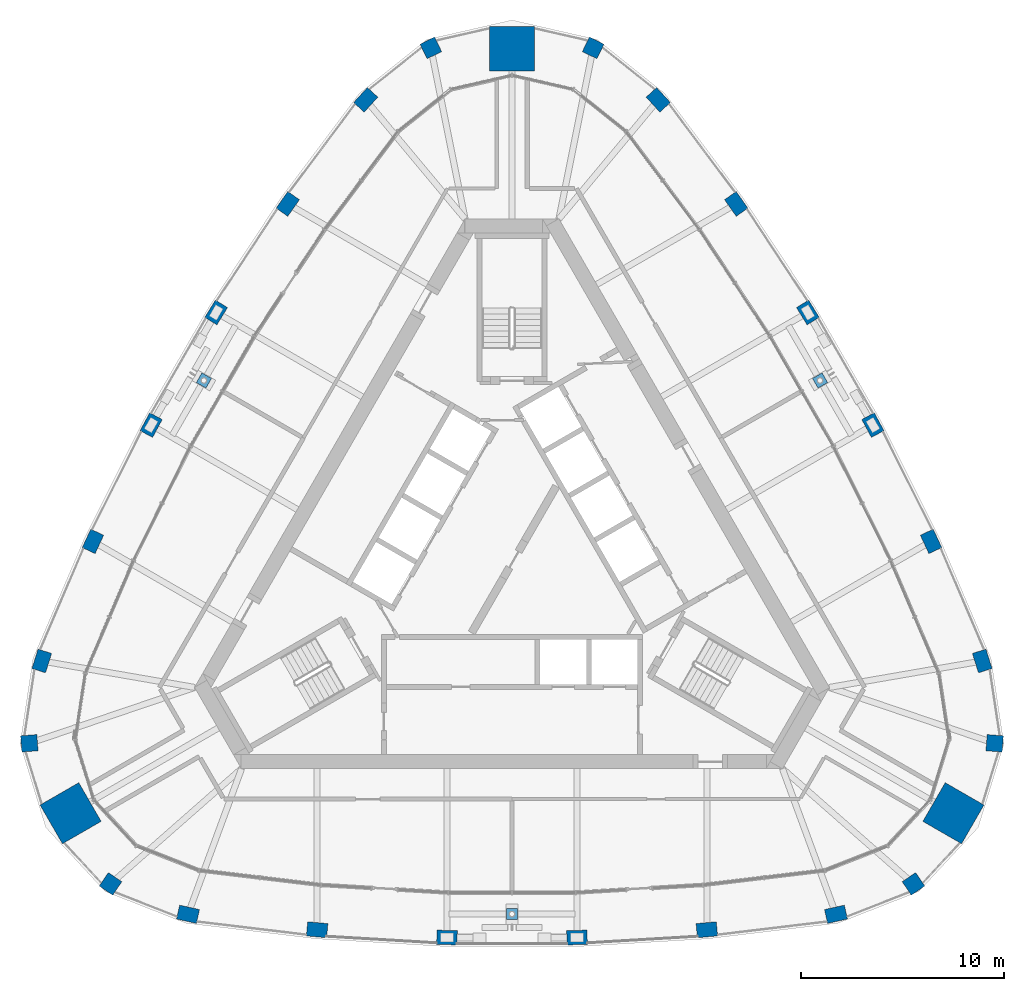
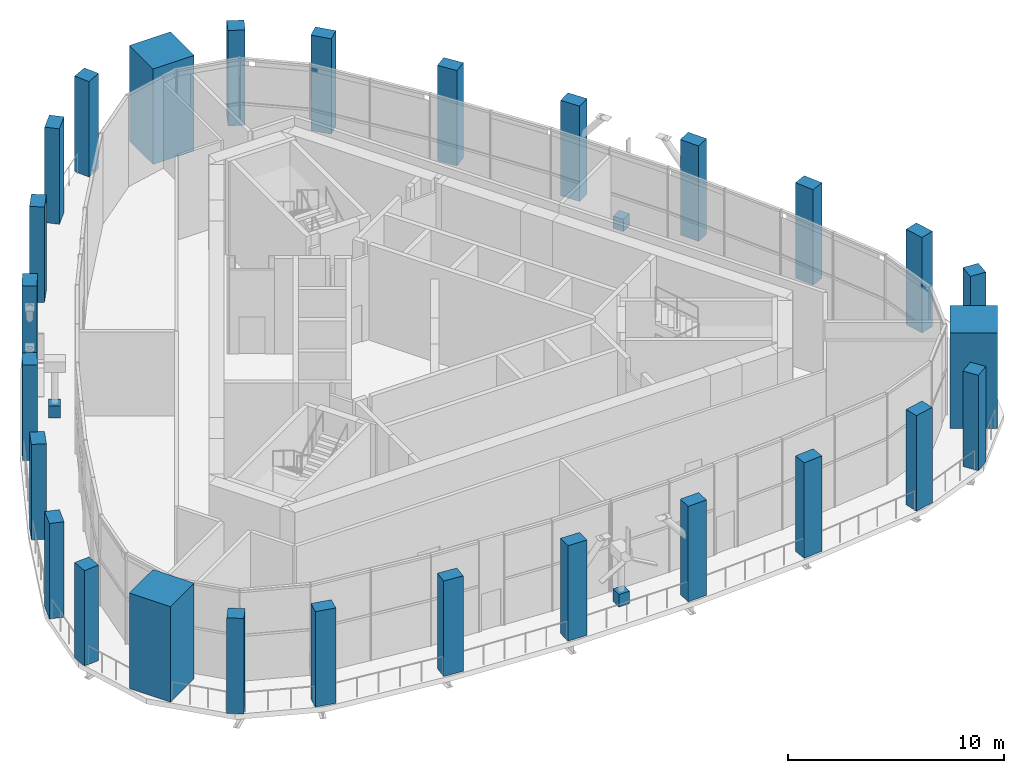
# One storey, part 1 of 23: 30 columns.
"""IFC4 building model written with IfcOpenShell, lengths in metres."""

from ifc_helpers import new_model, si_unit, direction, frame, origin, origin_2d, place, context, subcontext, project, spatial, rectangle, extrude, material, material_profile, profile_set, type_object, element, save


model = new_model("IFC4")

# Units and contexts
model_context = context("Model", 3, precision=1e-05, world=origin(), true_north=direction((0.0, 1.0)))
body_context = subcontext(model_context, "Body", "Model", "MODEL_VIEW")
ifc_project = project(units=[si_unit("LENGTHUNIT", "METRE"), si_unit("AREAUNIT", "SQUARE_METRE"), si_unit("VOLUMEUNIT", "CUBIC_METRE"), si_unit("PLANEANGLEUNIT", "RADIAN"), si_unit("MASSUNIT", "GRAM", prefix="KILO")], contexts=[model_context])

# Site, building, storey
site_placement = place(None, origin())
site = spatial("IfcSite", under=ifc_project, at=site_placement, CompositionType="ELEMENT")
building_placement = place(site_placement, origin())
building = spatial("IfcBuilding", under=site, at=building_placement, Name="Mestral Congress Tower", CompositionType="ELEMENT")
storey_placement = place(building_placement, frame((0.0, 0.0, 261.60009765625)))
storey = spatial("IfcBuildingStorey", under=building, at=storey_placement, Name="L61", CompositionType="ELEMENT", Elevation=261.60009765625)

# Columns
ifc_material_1 = material(Name="Concrete C60/75", Category="concrete")
ifc_material_profile_1 = material_profile(ifc_material_1, rectangle(XDim=1.0, YDim=0.699951171875, at=origin_2d()), Name="RC 1000x700")
ifc_profile_set_1 = profile_set([ifc_material_profile_1], Name="Concrete C60/75")
column_type_1 = type_object("IfcColumnType", Name="Column RC 1000x700 C60/75", PredefinedType="COLUMN", material=ifc_profile_set_1)
for number, where, z_axis, x_axis, name in (
    (1, (-15.940673828125, -17.511962890625, 0.0), (0.0, 0.0, 1.0), (0.976233636503, -0.216720758026, 0.0), "COL-L61-C5-S00"),
    (2, (-9.587158203125, -18.273681640625, 0.0), (0.0, 0.0, 1.0), (0.995997816519, -0.089377567035, 0.0), "COL-L61-C5-S01"),
    (3, (-3.199462890625, -18.6552734375, 0.0), (0.0, 0.0, 1.0), (0.999555031657, -0.029828487872, 0.0), "COL-L61-C5-S02"),
    (4, (3.199462890625, -18.6552734375, 0.0), (0.0, 0.0, 1.0), (0.999555031657, 0.029828487872, 0.0), "COL-L61-C5-S03"),
    (5, (9.587158203125, -18.273681640625, 0.0), (0.0, 0.0, 1.0), (0.995997816519, 0.089377567035, 0.0), "COL-L61-C5-S04"),
    (6, (15.940673828125, -17.511962890625, 0.0), (0.0, 0.0, 1.0), (0.976233636503, 0.216720758026, 0.0), "COL-L61-C5-S05"),
    (7, (23.135986328125, -5.049072265625, 0.0), (0.0, 0.0, 1.0), (-0.300431136274, 0.953803508254, 0.0), "COL-L61-C5-E00"),
    (8, (20.618896484375, 0.833984375, 0.0), (0.0, 0.0, 1.0), (-0.420595664679, 0.907248194737, 0.0), "COL-L61-C5-E01"),
    (9, (17.755615234375, 6.556640625, 0.0), (0.0, 0.0, 1.0), (-0.473945287575, 0.880554293832, 0.0), "COL-L61-C5-E02"),
    (10, (14.55615234375, 12.098388671875, 0.0), (0.0, 0.0, 1.0), (-0.525609744083, 0.850725805959, 0.0), "COL-L61-C5-E03"),
    (11, (11.031982421875, 17.439697265625, 0.0), (0.0, 0.0, 1.0), (-0.57540215184, 0.817870627702, 0.0), "COL-L61-C5-E04"),
    (12, (7.1953125, 22.56103515625, 0.0), (0.0, 0.0, 1.0), (-0.67580250023, 0.737082750228, 0.0), "COL-L61-C5-E05"),
    (13, (-7.1953125, 22.56103515625, 0.0), (0.0, 0.0, 1.0), (-0.67580250023, -0.737082750228, 0.0), "COL-L61-C5-W00"),
    (14, (-11.031982421875, 17.439697265625, 0.0), (0.0, 0.0, 1.0), (-0.57540215184, -0.817870627702, 0.0), "COL-L61-C5-W01"),
    (15, (-14.55615234375, 12.098388671875, 0.0), (0.0, 0.0, 1.0), (-0.525609744083, -0.850725805959, 0.0), "COL-L61-C5-W02"),
    (16, (-17.755615234375, 6.556640625, 0.0), (0.0, 0.0, 1.0), (-0.473945287575, -0.880554293832, 0.0), "COL-L61-C5-W03"),
    (17, (-20.618896484375, 0.833984375, 0.0), (0.0, 0.0, 1.0), (-0.420595664679, -0.907248194737, 0.0), "COL-L61-C5-W04"),
    (18, (-23.135986328125, -5.049072265625, 0.0), (0.0, 0.0, 1.0), (-0.300431136274, -0.953803508254, 0.0), "COL-L61-C5-W05"),
):
    element("IfcColumn", number, at=place(storey_placement, frame(where, z_axis=z_axis, x_axis=x_axis)), inside=storey, type_object=column_type_1, Name=name, PredefinedType="COLUMN", context=body_context, shape_type="SweptSolid", body=[
        extrude(rectangle(XDim=1.0, YDim=0.699951171875, at=origin_2d()), origin(), (0.0, 0.0, 1.0), 5.39990234375),
    ])
ifc_material_profile_2 = material_profile(ifc_material_1, rectangle(XDim=0.800048828125, YDim=0.800048828125, at=origin_2d()), Name="RC 800x800")
ifc_profile_set_2 = profile_set([ifc_material_profile_2], Name="Concrete C60/75")
column_type_2 = type_object("IfcColumnType", Name="Column RC 800x800 C60/75", PredefinedType="COLUMN", material=ifc_profile_set_2)
for number, where, z_axis, x_axis, name in (
    (19, (19.75439453125, -16.0166015625, 0.0), (0.0, 0.0, 1.0), (0.826362775296, 0.563138139008, 0.0), "COL-L61-C5-SE1"),
    (20, (23.748046875, -9.099609375, 0.0), (0.0, 0.0, 1.0), (0.074510546573, 0.997220225652, 0.0), "COL-L61-C5-SE3"),
    (21, (3.993408203125, 25.1162109375, 0.0), (0.0, 0.0, 1.0), (-0.900873321869, 0.434082086644, 0.0), "COL-L61-C5-N1"),
    (22, (-3.993408203125, 25.1162109375, 0.0), (0.0, 0.0, 1.0), (-0.900873321869, -0.434082086644, 0.0), "COL-L61-C5-N3"),
    (23, (-23.748046875, -9.099609375, 0.0), (0.0, 0.0, 1.0), (0.074510546573, -0.997220225652, 0.0), "COL-L61-C5-SW1"),
    (24, (-19.75439453125, -16.0166015625, 0.0), (0.0, 0.0, 1.0), (0.826362775296, -0.563138139008, 0.0), "COL-L61-C5-SW3"),
):
    element("IfcColumn", number, at=place(storey_placement, frame(where, z_axis=z_axis, x_axis=x_axis)), inside=storey, type_object=column_type_2, Name=name, PredefinedType="COLUMN", context=body_context, shape_type="SweptSolid", body=[
        extrude(rectangle(XDim=0.800048828125, YDim=0.800048828125, at=origin_2d()), origin(), (0.0, 0.0, 1.0), 5.39990234375),
    ])
ifc_material_profile_3 = material_profile(ifc_material_1, rectangle(XDim=2.199951171875, YDim=2.199951171875, at=origin_2d()), Name="RC 2200x2200")
ifc_profile_set_3 = profile_set([ifc_material_profile_3], Name="Concrete C60/75")
column_type_3 = type_object("IfcColumnType", Name="Mega column RC 2200x2200 C60/75", PredefinedType="COLUMN", material=ifc_profile_set_3)
for number, where, z_axis, x_axis, name in (
    (25, (21.71826171875, -12.5390625, 0.0), (0.0, 0.0, 1.0), (0.866025403784, -0.5, 0.0), "COL-L61-PY5-SE"),
    (26, (0.0, 25.078125, 0.0), (0.0, 0.0, 1.0), (0.0, 1.0, 0.0), "COL-L61-PY5-N"),
    (27, (-21.71826171875, -12.5390625, 0.0), (0.0, 0.0, 1.0), (-0.866025403784, -0.5, 0.0), "COL-L61-PY5-SW"),
):
    element("IfcColumn", number, at=place(storey_placement, frame(where, z_axis=z_axis, x_axis=x_axis)), inside=storey, type_object=column_type_3, Name=name, PredefinedType="COLUMN", context=body_context, shape_type="SweptSolid", body=[
        extrude(rectangle(XDim=2.199951171875, YDim=2.199951171875, at=origin_2d()), origin(), (0.0, 0.0, 1.0), 5.39990234375),
    ])
ifc_material_2 = material(Name="Concrete C30/37", Category="concrete")
ifc_material_profile_4 = material_profile(ifc_material_2, rectangle(XDim=0.550048828125, YDim=0.550048828125, at=origin_2d()), Name="Pedestal 550 x 550")
ifc_profile_set_4 = profile_set([ifc_material_profile_4], Name="Concrete C30/37")
column_type_4 = type_object("IfcColumnType", Name="Slot turbine pedestal 550 x 550", PredefinedType="USERDEFINED", material=ifc_profile_set_4)
for number, where, z_axis, x_axis, name in (
    (28, (0.0, -17.5029296875, 0.0), (0.0, 0.0, 1.0), (1.0, 0.0, 0.0), "Turbine 1 pedestal"),
    (29, (15.157958984375, 8.75146484375, 0.0), (0.0, 0.0, 1.0), (-0.5, 0.866025403784, 0.0), "Turbine 2 pedestal"),
    (30, (-15.157958984375, 8.75146484375, 0.0), (0.0, 0.0, 1.0), (-0.5, -0.866025403784, 0.0), "Turbine 3 pedestal"),
):
    element("IfcColumn", number, at=place(storey_placement, frame(where, z_axis=z_axis, x_axis=x_axis)), inside=storey, type_object=column_type_4, Name=name, ObjectType="TURBINE PEDESTAL", PredefinedType="USERDEFINED", context=body_context, shape_type="SweptSolid", body=[
        extrude(rectangle(XDim=0.550048828125, YDim=0.550048828125, at=origin_2d()), origin(), (0.0, 0.0, 1.0), 0.699951171875),
    ])

save(model, "model.ifc")
